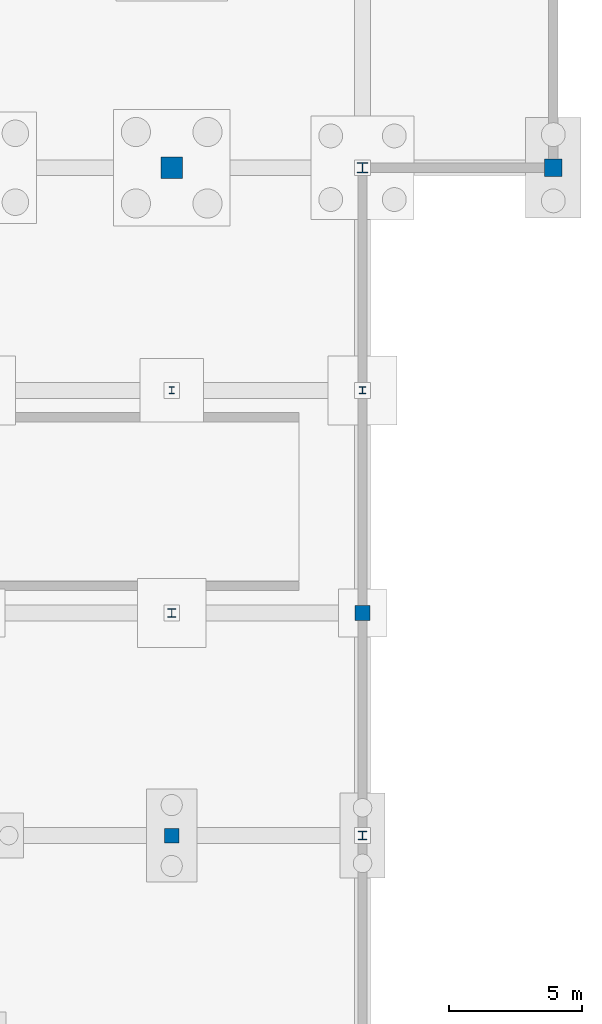
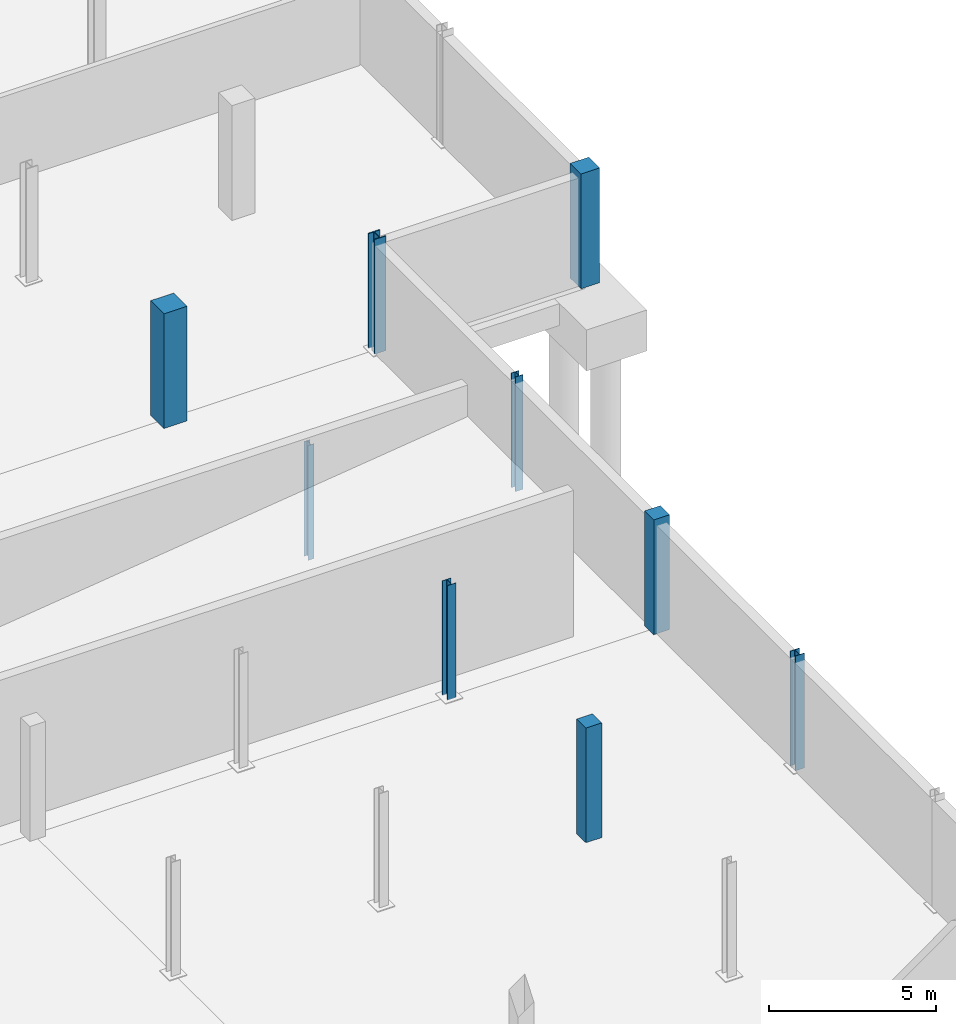
# One storey, part 10 of 32: 9 columns.
"""IFC4 building model written with IfcOpenShell, lengths in metres."""

from ifc_helpers import new_model, si_unit, direction, frame, origin, origin_2d, place, context, subcontext, project, spatial, rectangle, i_section, extrude, material, material_profile, profile_set, type_object, element, save


model = new_model("IFC4")

# Units and contexts
model_context = context("Model", 3, precision=1e-05, world=origin(), true_north=direction((0.0, 1.0)))
body_context = subcontext(model_context, "Body", "Model", "MODEL_VIEW")
ifc_project = project(units=[si_unit("LENGTHUNIT", "METRE"), si_unit("AREAUNIT", "SQUARE_METRE"), si_unit("VOLUMEUNIT", "CUBIC_METRE"), si_unit("PLANEANGLEUNIT", "RADIAN"), si_unit("MASSUNIT", "GRAM", prefix="KILO")], contexts=[model_context])

# Site, building, storey
site_placement = place(None, origin())
site = spatial("IfcSite", under=ifc_project, at=site_placement, CompositionType="ELEMENT")
building_placement = place(site_placement, origin())
building = spatial("IfcBuilding", under=site, at=building_placement, Name="Qelthora Terrace Specialist Clinic", CompositionType="ELEMENT")
storey_placement = place(building_placement, frame((0.0, 0.0, -4.199951171875)))
storey = spatial("IfcBuildingStorey", under=building, at=storey_placement, Name="B1", CompositionType="ELEMENT", Elevation=-4.199951171875)

# Columns
ifc_material_1 = material(Name="Concrete C40/50", Category="concrete")
ifc_material_profile_1 = material_profile(ifc_material_1, rectangle(XDim=0.550048828125, YDim=0.550048828125, at=origin_2d()), Name="RC550X550")
ifc_profile_set_1 = profile_set([ifc_material_profile_1], Name="Concrete C40/50")
column_type_1 = type_object("IfcColumnType", Name="COL-RC550", PredefinedType="COLUMN", material=ifc_profile_set_1)
for number, where, z_axis, x_axis, name in (
    (1, (36.0, 33.60009765625, 0.0), (0.0, 0.0, 1.0), (1.0, 0.0, 0.0), "Column B1-069"),
    (2, (43.199951171875, 42.0, 0.0), (0.0, 0.0, 1.0), (1.0, 0.0, 0.0), "Column B1-084"),
):
    element("IfcColumn", number, at=place(storey_placement, frame(where, z_axis=z_axis, x_axis=x_axis)), inside=storey, type_object=column_type_1, Name=name, PredefinedType="COLUMN", context=body_context, shape_type="SweptSolid", body=[
        extrude(rectangle(XDim=0.550048828125, YDim=0.550048828125, at=origin_2d()), origin(), (0.0, 0.0, 1.0), 4.199951171875),
    ])
ifc_material_profile_2 = material_profile(ifc_material_1, rectangle(XDim=0.64990234375, YDim=0.64990234375, at=origin_2d()), Name="RC650X650")
ifc_profile_set_2 = profile_set([ifc_material_profile_2], Name="Concrete C40/50")
column_type_2 = type_object("IfcColumnType", Name="COL-RC650", PredefinedType="COLUMN", material=ifc_profile_set_2)
column_1_placement = place(storey_placement, frame((50.39990234375, 58.800048828125, 0.0), z_axis=(0.0, 0.0, 1.0), x_axis=(1.0, 0.0, 0.0)))
element("IfcColumn", 3, at=column_1_placement, inside=storey, type_object=column_type_2, Name="Column B1-093", PredefinedType="COLUMN", context=body_context, shape_type="SweptSolid", body=[
    extrude(rectangle(XDim=0.64990234375, YDim=0.64990234375, at=origin_2d()), origin(), (0.0, 0.0, 1.0), 4.199951171875),
])
ifc_material_profile_3 = material_profile(ifc_material_1, rectangle(XDim=0.800048828125, YDim=0.800048828125, at=origin_2d()), Name="RC800X800")
ifc_profile_set_3 = profile_set([ifc_material_profile_3], Name="Concrete C40/50")
column_type_3 = type_object("IfcColumnType", Name="COL-RC800", PredefinedType="COLUMN", material=ifc_profile_set_3)
column_2_placement = place(storey_placement, frame((36.0, 58.800048828125, 0.0), z_axis=(0.0, 0.0, 1.0), x_axis=(1.0, 0.0, 0.0)))
element("IfcColumn", 4, at=column_2_placement, inside=storey, type_object=column_type_3, Name="Column B1-072", PredefinedType="COLUMN", context=body_context, shape_type="SweptSolid", body=[
    extrude(rectangle(XDim=0.800048828125, YDim=0.800048828125, at=origin_2d()), origin(), (0.0, 0.0, 1.0), 4.199951171875),
])
ifc_material_2 = material(Name="Steel S355", Category="steel")
ifc_material_profile_4 = material_profile(ifc_material_2, i_section(OverallWidth=0.2041015625, OverallDepth=0.257080078125, WebThickness=0.0087890625, FlangeThickness=0.015625, FilletRadius=0.012939453125, at=origin_2d()), Name="W250X67")
ifc_profile_set_4 = profile_set([ifc_material_profile_4], Name="Steel S355")
column_type_4 = type_object("IfcColumnType", Name="COL-W250X67", PredefinedType="COLUMN", material=ifc_profile_set_4)
column_3_placement = place(storey_placement, frame((36.0, 50.39990234375, 0.0), z_axis=(0.0, 0.0, 1.0), x_axis=(1.0, 0.0, 0.0)))
element("IfcColumn", 5, at=column_3_placement, inside=storey, type_object=column_type_4, Name="Column B1-071", PredefinedType="COLUMN", context=body_context, shape_type="SweptSolid", body=[
    extrude(i_section(OverallWidth=0.2041015625, OverallDepth=0.257080078125, WebThickness=0.0087890625, FlangeThickness=0.015625, FilletRadius=0.012939453125, at=origin_2d()), origin(), (0.0, 0.0, 1.0), 4.199951171875),
])
ifc_material_profile_5 = material_profile(ifc_material_2, i_section(OverallWidth=0.2548828125, OverallDepth=0.256103515625, WebThickness=0.009521484375, FlangeThickness=0.015625, FilletRadius=0.012939453125, at=origin_2d()), Name="W250X80")
ifc_profile_set_5 = profile_set([ifc_material_profile_5], Name="Steel S355")
column_type_5 = type_object("IfcColumnType", Name="COL-W250X80", PredefinedType="COLUMN", material=ifc_profile_set_5)
column_4_placement = place(storey_placement, frame((43.199951171875, 50.39990234375, 0.0), z_axis=(0.0, 0.0, 1.0), x_axis=(1.0, 0.0, 0.0)))
element("IfcColumn", 6, at=column_4_placement, inside=storey, type_object=column_type_5, Name="Column B1-085", PredefinedType="COLUMN", context=body_context, shape_type="SweptSolid", body=[
    extrude(i_section(OverallWidth=0.2548828125, OverallDepth=0.256103515625, WebThickness=0.009521484375, FlangeThickness=0.015625, FilletRadius=0.012939453125, at=origin_2d()), origin(), (0.0, 0.0, 1.0), 4.199951171875),
])
ifc_material_profile_6 = material_profile(ifc_material_2, i_section(OverallWidth=0.305908203125, OverallDepth=0.31103515625, WebThickness=0.010986328125, FlangeThickness=0.01708984375, FilletRadius=0.014892578125, at=origin_2d()), Name="W310X107")
ifc_profile_set_6 = profile_set([ifc_material_profile_6], Name="Steel S355")
column_type_6 = type_object("IfcColumnType", Name="COL-W310X107", PredefinedType="COLUMN", material=ifc_profile_set_6)
column_5_placement = place(storey_placement, frame((36.0, 42.0, 0.0), z_axis=(0.0, 0.0, 1.0), x_axis=(1.0, 0.0, 0.0)))
element("IfcColumn", 7, at=column_5_placement, inside=storey, type_object=column_type_6, Name="Column B1-070", PredefinedType="COLUMN", context=body_context, shape_type="SweptSolid", body=[
    extrude(i_section(OverallWidth=0.305908203125, OverallDepth=0.31103515625, WebThickness=0.010986328125, FlangeThickness=0.01708984375, FilletRadius=0.014892578125, at=origin_2d()), origin(), (0.0, 0.0, 1.0), 4.199951171875),
])
ifc_material_profile_7 = material_profile(ifc_material_2, i_section(OverallWidth=0.30810546875, OverallDepth=0.318115234375, WebThickness=0.01318359375, FlangeThickness=0.0205078125, FilletRadius=0.01611328125, at=origin_2d()), Name="W310X129")
ifc_profile_set_7 = profile_set([ifc_material_profile_7], Name="Steel S355")
column_type_7 = type_object("IfcColumnType", Name="COL-W310X129", PredefinedType="COLUMN", material=ifc_profile_set_7)
column_6_placement = place(storey_placement, frame((43.199951171875, 33.60009765625, 0.0), z_axis=(0.0, 0.0, 1.0), x_axis=(1.0, 0.0, 0.0)))
element("IfcColumn", 8, at=column_6_placement, inside=storey, type_object=column_type_7, Name="Column B1-083", PredefinedType="COLUMN", context=body_context, shape_type="SweptSolid", body=[
    extrude(i_section(OverallWidth=0.30810546875, OverallDepth=0.318115234375, WebThickness=0.01318359375, FlangeThickness=0.0205078125, FilletRadius=0.01611328125, at=origin_2d()), origin(), (0.0, 0.0, 1.0), 4.199951171875),
])
ifc_material_profile_8 = material_profile(ifc_material_2, i_section(OverallWidth=0.39892578125, OverallDepth=0.39306640625, WebThickness=0.022705078125, FlangeThickness=0.035888671875, FilletRadius=0.02001953125, at=origin_2d()), Name="W360X287")
ifc_profile_set_8 = profile_set([ifc_material_profile_8], Name="Steel S355")
column_type_8 = type_object("IfcColumnType", Name="COL-W360X287", PredefinedType="COLUMN", material=ifc_profile_set_8)
column_7_placement = place(storey_placement, frame((43.199951171875, 58.800048828125, 0.0), z_axis=(0.0, 0.0, 1.0), x_axis=(1.0, 0.0, 0.0)))
element("IfcColumn", 9, at=column_7_placement, inside=storey, type_object=column_type_8, Name="Column B1-086", PredefinedType="COLUMN", context=body_context, shape_type="SweptSolid", body=[
    extrude(i_section(OverallWidth=0.39892578125, OverallDepth=0.39306640625, WebThickness=0.022705078125, FlangeThickness=0.035888671875, FilletRadius=0.02001953125, at=origin_2d()), origin(), (0.0, 0.0, 1.0), 4.199951171875),
])

save(model, "model.ifc")
